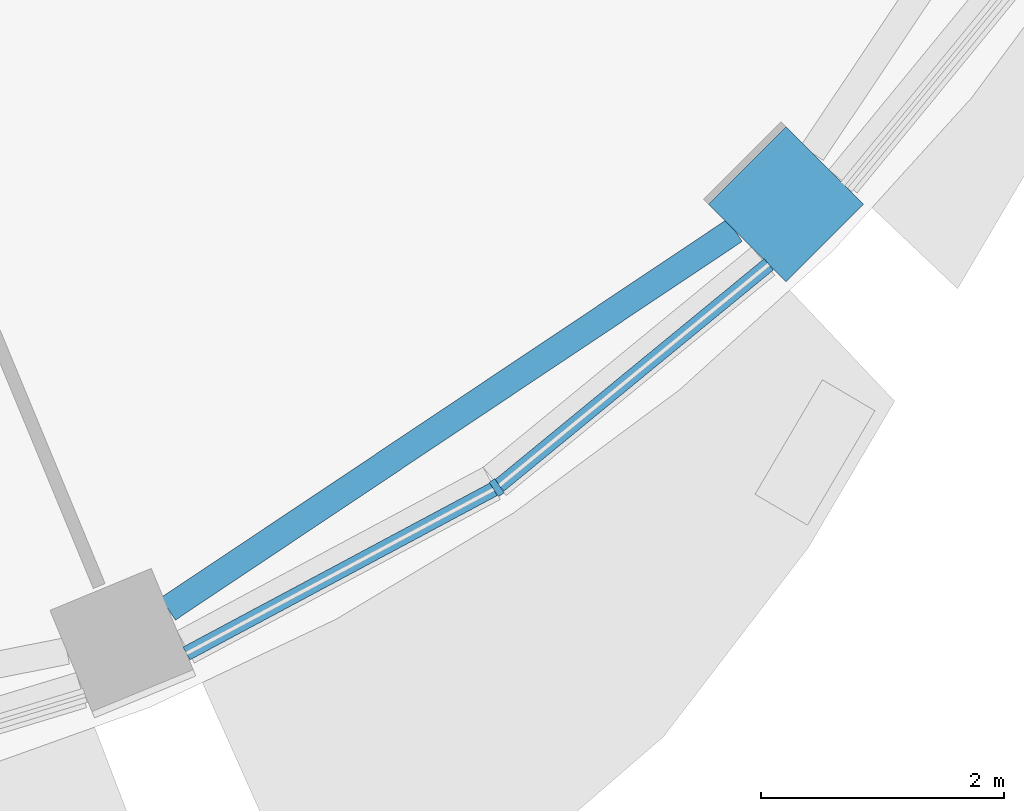
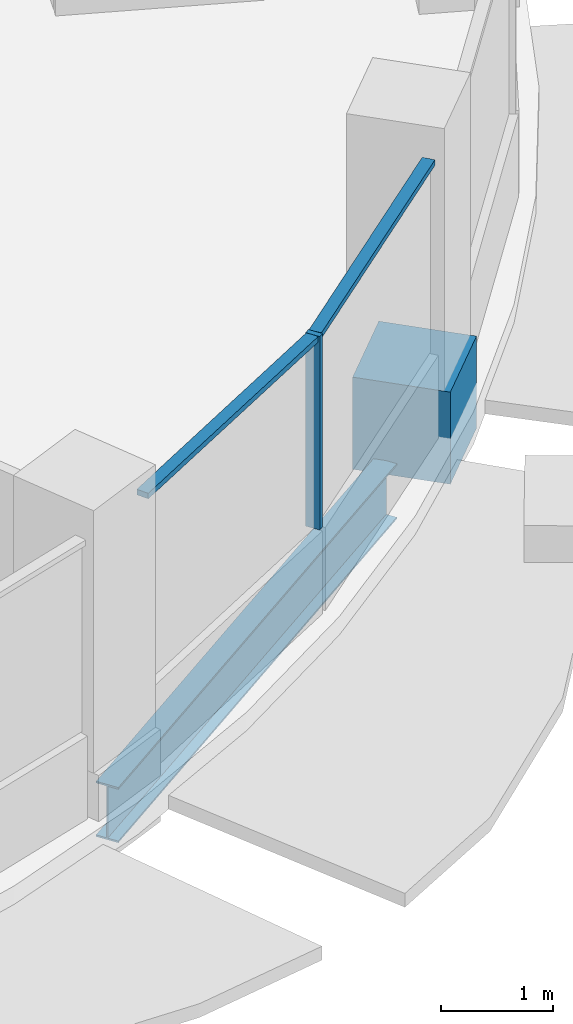
# One storey, part 3 of 15: 4 members, 1 beam, 1 element without a shape of its own.
"""IFC4 building model written with IfcOpenShell, lengths in metres."""

from ifc_helpers import new_model, si_unit, direction, frame, origin, origin_2d, place, context, subcontext, project, spatial, rectangle, i_section, extrude, material, material_profile, profile_set, type_object, element, aggregate, save


model = new_model("IFC4")

# Units and contexts
model_context = context("Model", 3, precision=1e-05, world=origin(), true_north=direction((0.0, 1.0)))
body_context = subcontext(model_context, "Body", "Model", "MODEL_VIEW")
ifc_project = project(units=[si_unit("LENGTHUNIT", "METRE"), si_unit("AREAUNIT", "SQUARE_METRE"), si_unit("VOLUMEUNIT", "CUBIC_METRE"), si_unit("PLANEANGLEUNIT", "RADIAN"), si_unit("MASSUNIT", "GRAM", prefix="KILO")], contexts=[model_context])

# Site, building, storey
site_placement = place(None, origin())
site = spatial("IfcSite", under=ifc_project, at=site_placement, CompositionType="ELEMENT")
building_placement = place(site_placement, origin())
building = spatial("IfcBuilding", under=site, at=building_placement, Name="Polderwave Tower", CompositionType="ELEMENT")
storey_placement = place(building_placement, frame((0.0, 0.0, 197.699951171875)))
storey = spatial("IfcBuildingStorey", under=building, at=storey_placement, Name="L53", CompositionType="ELEMENT", Elevation=197.699951171875)

# Curtain wall, members
ifc_material_1 = material(Name="Aluminium 6063-T6 and glass", Category="aluminium")
curtain_wall_type = type_object("IfcCurtainWallType", Name="Office ribbon glazing wall", PredefinedType="NOTDEFINED", material=ifc_material_1)
curtain_wall_placement = place(storey_placement, origin())
curtain_wall = element("IfcCurtainWall", 1, at=curtain_wall_placement, inside=storey, type_object=curtain_wall_type, Name="CW3 L53 13", PredefinedType="NOTDEFINED")
ifc_material_2 = material(Name="Aluminium 6063-T6", Category="aluminium")
ifc_material_profile_1 = material_profile(ifc_material_2, rectangle(XDim=0.139892578125, YDim=0.054931640625, at=origin_2d()), Name="AL 55x140")
ifc_profile_set_1 = profile_set([ifc_material_profile_1], Name="Aluminium 6063-T6")
member_type_1 = type_object("IfcMemberType", Name="Office ribbon glazing mullion 55x140", PredefinedType="MULLION", material=ifc_profile_set_1)
member_1_placement = place(storey_placement, frame((9.471923828125, -14.177001953125, 0.900146484375), z_axis=(0.0, 0.0, 1.0), x_axis=(-0.555554269847, 0.831480278332, 0.0)))
member_1 = element("IfcMember", 2, at=member_1_placement, type_object=member_type_1, Name="CW3 mullion 1", PredefinedType="MULLION", context=body_context, shape_type="SweptSolid", body=[
    extrude(rectangle(XDim=0.139892578125, YDim=0.054931640625, at=origin_2d()), origin(), (0.0, 0.0, 1.0), 2.099853515625),
])
ifc_material_profile_2 = material_profile(ifc_material_2, rectangle(XDim=0.1201171875, YDim=0.06005859375, at=origin_2d()), Name="AL 60x120")
ifc_profile_set_2 = profile_set([ifc_material_profile_2], Name="Aluminium 6063-T6")
member_type_2 = type_object("IfcMemberType", Name="Office ribbon glazing transom 60x120", PredefinedType="USERDEFINED", material=ifc_profile_set_2)
member_2_placement = place(storey_placement, frame((6.924072265625, -15.5390625, 2.969970703125), z_axis=(0.881894364311, 0.471447059803, 0.0), x_axis=(-0.471447059803, 0.881894364311, 0.0)))
member_2 = element("IfcMember", 3, at=member_2_placement, type_object=member_type_2, Name="CW3 transom 1", ObjectType="TRANSOM", PredefinedType="USERDEFINED", context=body_context, shape_type="SweptSolid", body=[
    extrude(rectangle(XDim=0.1201171875, YDim=0.06005859375, at=origin_2d()), origin(), (0.0, 0.0, 1.0), 2.861572265625),
])
member_3_placement = place(storey_placement, frame((9.493408203125, -14.15966796875, 2.969970703125), z_axis=(0.773014408313, 0.634388465012, 0.0), x_axis=(-0.634388465012, 0.773014408313, 0.0)))
member_3 = element("IfcMember", 4, at=member_3_placement, type_object=member_type_2, Name="CW3 transom 2", ObjectType="TRANSOM", PredefinedType="USERDEFINED", context=body_context, shape_type="SweptSolid", body=[
    extrude(rectangle(XDim=0.1201171875, YDim=0.06005859375, at=origin_2d()), origin(), (0.0, 0.0, 1.0), 2.863525390625),
])
aggregate(curtain_wall, [member_1, member_2, member_3])

# Member
ifc_material_3 = material(Name="Concrete C60/75", Category="concrete")
ifc_material_profile_3 = material_profile(ifc_material_3, rectangle(XDim=0.89990234375, YDim=0.89990234375, at=origin_2d()), Name="RC 900x900")
ifc_profile_set_3 = profile_set([ifc_material_profile_3], Name="Concrete C60/75")
member_type_3 = type_object("IfcMemberType", Name="RC NODE 900x900 C60/75", PredefinedType="POST", material=ifc_profile_set_3)
member_4_placement = place(storey_placement, frame((11.84814453125, -11.84814453125, -0.5), z_axis=(0.0, 0.0, 1.0), x_axis=(0.707106781187, -0.707106781187, 0.0)))
element("IfcMember", 5, at=member_4_placement, inside=storey, type_object=member_type_3, Name="Ring column node 15", PredefinedType="POST", context=body_context, shape_type="SweptSolid", body=[
    extrude(rectangle(XDim=0.89990234375, YDim=0.89990234375, at=origin_2d()), origin(), (0.0, 0.0, 1.0), 1.0),
])

# Beam
ifc_material_4 = material(Name="Steel S355", Category="steel")
ifc_material_profile_4 = material_profile(ifc_material_4, i_section(OverallWidth=0.219970703125, OverallDepth=0.60009765625, WebThickness=0.011962890625, FlangeThickness=0.01904296875, at=origin_2d()), Name="IPE 600")
ifc_profile_set_4 = profile_set([ifc_material_profile_4], Name="Steel S355")
beam_type = type_object("IfcBeamType", Name="RING BEAM IPE 600", PredefinedType="BEAM", material=ifc_profile_set_4)
beam_placement = place(storey_placement, frame((6.772216796875, -15.173828125, -0.64990234375), z_axis=(0.831472877453, 0.555565346345, 0.0), x_axis=(-0.555565346345, 0.831472877453, 0.0)))
element("IfcBeam", 6, at=beam_placement, inside=storey, type_object=beam_type, Name="ST-RB-L53-13", PredefinedType="BEAM", context=body_context, shape_type="SweptSolid", body=[
    extrude(i_section(OverallWidth=0.219970703125, OverallDepth=0.60009765625, WebThickness=0.011962890625, FlangeThickness=0.01904296875, at=origin_2d()), origin(), (0.0, 0.0, 1.0), 5.5986328125),
])

save(model, "model.ifc")
